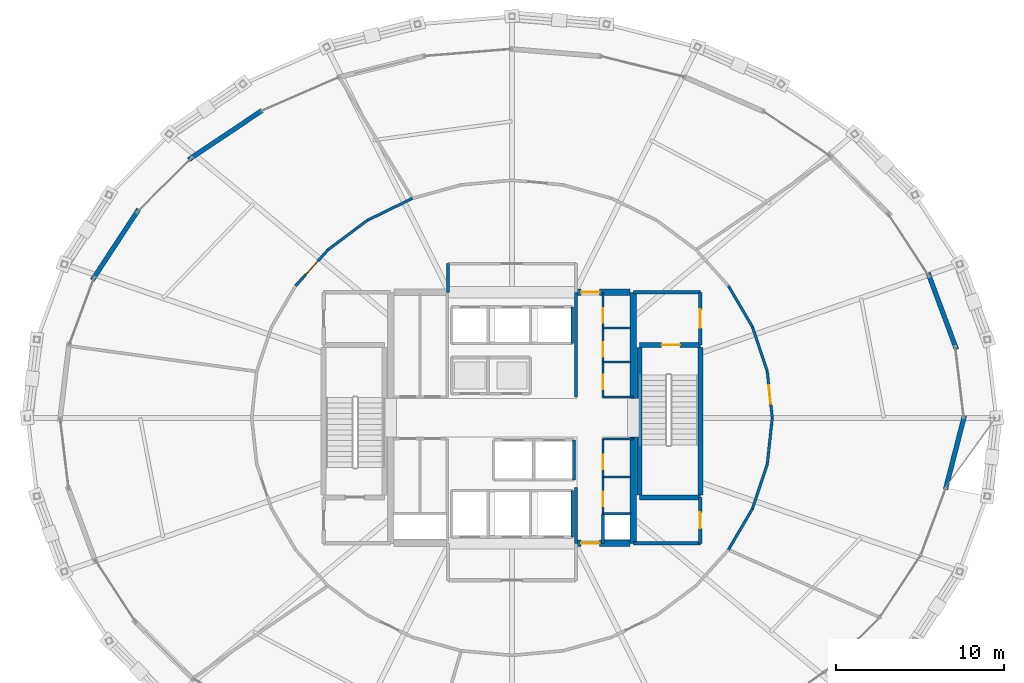
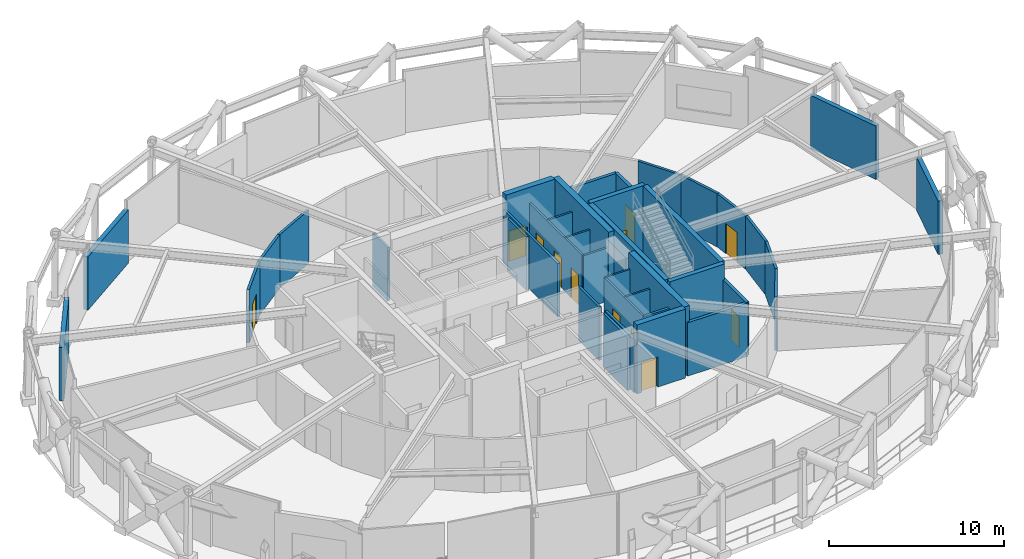
# One storey, part 34 of 39: 40 walls, 12 doors, 12 openings.
"""IFC4 building model written with IfcOpenShell, lengths in metres."""

from ifc_helpers import new_model, si_unit, direction, frame, frame_2d, origin, place, context, subcontext, project, spatial, rectangle, extrude, material, layer, layer_set, type_object, element, fill, save


model = new_model("IFC4")

# Units and contexts
model_context = context("Model", 3, precision=1e-05, world=origin(), true_north=direction((0.0, 1.0)))
body_context = subcontext(model_context, "Body", "Model", "MODEL_VIEW")
ifc_project = project(units=[si_unit("LENGTHUNIT", "METRE"), si_unit("AREAUNIT", "SQUARE_METRE"), si_unit("VOLUMEUNIT", "CUBIC_METRE"), si_unit("PLANEANGLEUNIT", "RADIAN"), si_unit("MASSUNIT", "GRAM", prefix="KILO")], contexts=[model_context])

# Site, building, storey
site_placement = place(None, origin())
site = spatial("IfcSite", under=ifc_project, at=site_placement, CompositionType="ELEMENT")
building_placement = place(site_placement, origin())
building = spatial("IfcBuilding", under=site, at=building_placement, Name="Veldorina Hangang Commons", CompositionType="ELEMENT")
storey_placement = place(building_placement, frame((0.0, 0.0, 106.0)))
storey = spatial("IfcBuildingStorey", under=building, at=storey_placement, Name="L27", CompositionType="ELEMENT", Elevation=106.0)

# Walls
ifc_material_1 = material(Name="Concrete C70/85", Category="concrete")
ifc_layer_1 = layer(ifc_material_1, 0.3798828125)
ifc_layer_set_1 = layer_set([ifc_layer_1], Name="Concrete C70/85")
wall_type_1 = type_object("IfcWallType", Name="CW-RC380-C70", PredefinedType="SHEAR", material=ifc_layer_set_1)
for number, where, z_axis, x_axis, name in (
    (1, (39.199951171875, 16.550048828125, 0.0), (0.0, 0.0, 1.0), (0.0, 1.0, 0.0), "L27 E south core shear wall"),
    (2, (39.199951171875, 25.14990234375, 0.0), (0.0, 0.0, 1.0), (0.0, 1.0, 0.0), "L27 E north core shear wall"),
):
    element("IfcWall", number, at=place(storey_placement, frame(where, z_axis=z_axis, x_axis=x_axis)), inside=storey, type_object=wall_type_1, Name=name, PredefinedType="SHEAR", context=body_context, shape_type="SweptSolid", body=[
        extrude(rectangle(XDim=6.300048828125, YDim=0.3798828125, at=frame_2d((3.14990234375, 0.0))), origin(), (0.0, 0.0, 1.0), 4.800048828125),
    ])

# Wall, opening, door
wall_1_placement = place(storey_placement, frame((35.800048828125, 16.550048828125, 0.0), z_axis=(0.0, 0.0, 1.0), x_axis=(1.0, 0.0, 0.0)))
wall_1 = element("IfcWall", 3, at=wall_1_placement, inside=storey, type_object=wall_type_1, Name="L27 south-east core shear wall", PredefinedType="SHEAR", context=body_context, shape_type="SweptSolid", body=[
    extrude(rectangle(XDim=3.2099609375, YDim=0.3798828125, at=frame_2d((1.60498046875, 0.0))), origin(), (0.0, 0.0, 1.0), 4.800048828125),
])
opening_1_placement = place(wall_1_placement, frame((0.300048828125, 0.0, 0.0)))
opening_1 = element("IfcOpeningElement", 4, at=opening_1_placement, cuts=wall_1, Name="Opening D-08", PredefinedType="OPENING", context=body_context, shape_type="SweptSolid", body=[
    extrude(rectangle(XDim=1.10009765625, YDim=2.10009765625, at=frame_2d((0.550048828125, 1.050048828125))), frame((0.0, 0.199951171875, 0.0), z_axis=(0.0, -1.0, 0.0), x_axis=(1.0, 0.0, 0.0)), (0.0, 0.0, 1.0), 0.39990234375),
])
ifc_material_2 = material(Name="Steel Fire-Rated Smoke Seal", Category="steel")
door_type_1 = type_object("IfcDoorType", Name="DR-FIRE-1100", OperationType="SINGLE_SWING_RIGHT", PredefinedType="DOOR", material=ifc_material_2)
door_1_placement = place(opening_1_placement, origin())
door_1 = element("IfcDoor", 5, at=door_1_placement, inside=storey, type_object=door_type_1, Name="L27 central lift lobby south corridor door", OperationType="SINGLE_SWING_RIGHT", OverallHeight=2.10009765625, OverallWidth=1.10009765625, PredefinedType="DOOR", context=body_context, shape_type="SweptSolid", body=[
    extrude(rectangle(XDim=1.10009765625, YDim=2.10009765625, at=frame_2d((0.550048828125, 1.050048828125))), frame((0.0, 0.02490234375, 0.0), z_axis=(0.0, -1.0, 0.0), x_axis=(1.0, 0.0, 0.0)), (0.0, 0.0, 1.0), 0.050048828125),
])
fill(opening_1, door_1)

wall_2_placement = place(storey_placement, frame((35.800048828125, 31.449951171875, 0.0), z_axis=(0.0, 0.0, 1.0), x_axis=(1.0, 0.0, 0.0)))
wall_2 = element("IfcWall", 6, at=wall_2_placement, inside=storey, type_object=wall_type_1, Name="L27 north-east core shear wall", PredefinedType="SHEAR", context=body_context, shape_type="SweptSolid", body=[
    extrude(rectangle(XDim=3.2099609375, YDim=0.3798828125, at=frame_2d((1.60498046875, 0.0))), origin(), (0.0, 0.0, 1.0), 4.800048828125),
])
opening_2_placement = place(wall_2_placement, frame((0.300048828125, 0.0, 0.0)))
opening_2 = element("IfcOpeningElement", 7, at=opening_2_placement, cuts=wall_2, Name="Opening D-08", PredefinedType="OPENING", context=body_context, shape_type="SweptSolid", body=[
    extrude(rectangle(XDim=1.10009765625, YDim=2.10009765625, at=frame_2d((0.550048828125, 1.050048828125))), frame((0.0, 0.199951171875, 0.0), z_axis=(0.0, -1.0, 0.0), x_axis=(1.0, 0.0, 0.0)), (0.0, 0.0, 1.0), 0.39990234375),
])
door_2_placement = place(opening_2_placement, origin())
door_2 = element("IfcDoor", 8, at=door_2_placement, inside=storey, type_object=door_type_1, Name="L27 central lift lobby north corridor door", OperationType="SINGLE_SWING_LEFT", OverallHeight=2.10009765625, OverallWidth=1.10009765625, PredefinedType="DOOR", context=body_context, shape_type="SweptSolid", body=[
    extrude(rectangle(XDim=1.10009765625, YDim=2.10009765625, at=frame_2d((0.550048828125, 1.050048828125))), frame((0.0, 0.02490234375, 0.0), z_axis=(0.0, -1.0, 0.0), x_axis=(1.0, 0.0, 0.0)), (0.0, 0.0, 1.0), 0.050048828125),
])
fill(opening_2, door_2)

# Walls
ifc_material_3 = material(Name="Stone Roman Travertine", Category="masonry")
ifc_layer_2 = layer(ifc_material_3, 0.280029296875)
ifc_layer_set_2 = layer_set([ifc_layer_2], Name="Stone Roman Travertine")
wall_type_2 = type_object("IfcWallType", Name="EW-TRAV-280", PredefinedType="STANDARD", material=ifc_layer_set_2)
wall_3_placement = place(storey_placement, frame((58.387451171875, 28.054931640625, 0.0), z_axis=(0.0, 0.0, 1.0), x_axis=(-0.348436652238, 0.937332331341, 0.0)))
element("IfcWall", 9, at=wall_3_placement, inside=storey, type_object=wall_type_2, Name="L27 travertine facade wall 01", PredefinedType="STANDARD", context=body_context, shape_type="SweptSolid", body=[
    extrude(rectangle(XDim=4.85205078125, YDim=0.280029296875, at=frame_2d((2.426025390625, 0.0))), origin(), (0.0, 0.0, 1.0), 3.7099609375),
])
wall_4_placement = place(storey_placement, frame((17.17431640625, 42.25048828125, 0.0), z_axis=(0.0, 0.0, 1.0), x_axis=(-0.830878855803, -0.556453346633, 0.0)))
element("IfcWall", 10, at=wall_4_placement, inside=storey, type_object=wall_type_2, Name="L27 travertine facade wall 11", PredefinedType="STANDARD", context=body_context, shape_type="SweptSolid", body=[
    extrude(rectangle(XDim=5.2666015625, YDim=0.280029296875, at=frame_2d((2.63330078125, 0.0))), origin(), (0.0, 0.0, 1.0), 3.7099609375),
])
wall_5_placement = place(storey_placement, frame((9.84033203125, 36.37841796875, 0.0), z_axis=(0.0, 0.0, 1.0), x_axis=(-0.54792313188, -0.836528685432, 0.0)))
element("IfcWall", 11, at=wall_5_placement, inside=storey, type_object=wall_type_2, Name="L27 travertine facade wall 13", PredefinedType="STANDARD", context=body_context, shape_type="SweptSolid", body=[
    extrude(rectangle(XDim=5.026611328125, YDim=0.280029296875, at=frame_2d((2.51318359375, 0.0))), origin(), (0.0, 0.0, 1.0), 3.7099609375),
])
wall_6_placement = place(storey_placement, frame((57.735595703125, 19.75, 0.0), z_axis=(0.0, 0.0, 1.0), x_axis=(0.247830898022, 0.968803306139, 0.0)))
element("IfcWall", 12, at=wall_6_placement, inside=storey, type_object=wall_type_2, Name="L27 travertine facade wall 31", PredefinedType="STANDARD", context=body_context, shape_type="SweptSolid", body=[
    extrude(rectangle(XDim=4.531494140625, YDim=0.280029296875, at=frame_2d((2.265625, 0.0))), origin(), (0.0, 0.0, 1.0), 3.7099609375),
])
ifc_material_4 = material(Name="Concrete C50/60", Category="concrete")
ifc_layer_3 = layer(ifc_material_4, 0.300048828125)
ifc_layer_set_3 = layer_set([ifc_layer_3], Name="Concrete C50/60")
wall_type_3 = type_object("IfcWallType", Name="SW-STAIR-300", PredefinedType="SHEAR", material=ifc_layer_set_3)
for number, where, z_axis, x_axis, name in (
    (13, (43.179931640625, 19.429931640625, 0.0), (0.0, 0.0, 1.0), (0.0, 1.0, 0.0), "L27 ST2 outer stair shear wall"),
    (14, (39.580078125, 19.429931640625, 0.0), (0.0, 0.0, 1.0), (0.0, 1.0, 0.0), "L27 ST2 inner stair shear wall"),
):
    element("IfcWall", number, at=place(storey_placement, frame(where, z_axis=z_axis, x_axis=x_axis)), inside=storey, type_object=wall_type_3, Name=name, PredefinedType="SHEAR", context=body_context, shape_type="SweptSolid", body=[
        extrude(rectangle(XDim=8.739990234375, YDim=0.300048828125, at=frame_2d((4.3701171875, 0.0))), origin(), (0.0, 0.0, 1.0), 4.800048828125),
    ])
wall_7_placement = place(storey_placement, frame((39.580078125, 19.280029296875, 0.0), z_axis=(0.0, 0.0, 1.0), x_axis=(1.0, 0.0, 0.0)))
element("IfcWall", 15, at=wall_7_placement, inside=storey, type_object=wall_type_3, Name="L27 ST2 south stair shear wall", PredefinedType="SHEAR", context=body_context, shape_type="SweptSolid", body=[
    extrude(rectangle(XDim=3.599853515625, YDim=0.300048828125, at=frame_2d((1.7998046875, 0.0))), origin(), (0.0, 0.0, 1.0), 4.800048828125),
])

# Wall, opening, door
wall_8_placement = place(storey_placement, frame((39.580078125, 28.320068359375, 0.0), z_axis=(0.0, 0.0, 1.0), x_axis=(1.0, 0.0, 0.0)))
wall_8 = element("IfcWall", 16, at=wall_8_placement, inside=storey, type_object=wall_type_3, Name="L27 ST2 north stair shear wall", PredefinedType="SHEAR", context=body_context, shape_type="SweptSolid", body=[
    extrude(rectangle(XDim=3.599853515625, YDim=0.300048828125, at=frame_2d((1.7998046875, 0.0))), origin(), (0.0, 0.0, 1.0), 4.800048828125),
])
opening_3_placement = place(wall_8_placement, frame((1.300048828125, 0.0, 0.0)))
opening_3 = element("IfcOpeningElement", 17, at=opening_3_placement, cuts=wall_8, Name="Opening D-08", PredefinedType="OPENING", context=body_context, shape_type="SweptSolid", body=[
    extrude(rectangle(XDim=1.10009765625, YDim=2.10009765625, at=frame_2d((0.550048828125, 1.050048828125))), frame((0.0, 0.16015625, 0.0), z_axis=(0.0, -1.0, 0.0), x_axis=(1.0, 0.0, 0.0)), (0.0, 0.0, 1.0), 0.320068359375),
])
door_3_placement = place(opening_3_placement, origin())
door_3 = element("IfcDoor", 18, at=door_3_placement, inside=storey, type_object=door_type_1, Name="L27 Special Escape Stair ST-2 door", OperationType="SINGLE_SWING_RIGHT", OverallHeight=2.10009765625, OverallWidth=1.10009765625, PredefinedType="DOOR", context=body_context, shape_type="SweptSolid", body=[
    extrude(rectangle(XDim=1.10009765625, YDim=2.10009765625, at=frame_2d((0.550048828125, 1.050048828125))), frame((0.0, 0.02490234375, 0.0), z_axis=(0.0, -1.0, 0.0), x_axis=(1.0, 0.0, 0.0)), (0.0, 0.0, 1.0), 0.050048828125),
])
fill(opening_3, door_3)

# Walls
ifc_material_5 = material(Name="Gypsum Fire-Rated Twin Stud Wall", Category="gypsum")
ifc_layer_4 = layer(ifc_material_5, 0.159912109375)
ifc_layer_set_4 = layer_set([ifc_layer_4], Name="Gypsum Fire-Rated Twin Stud Wall")
wall_type_4 = type_object("IfcWallType", Name="WL-FIRE-160", PredefinedType="SOLIDWALL", material=ifc_layer_set_4)
wall_9_placement = place(storey_placement, frame((35.800048828125, 16.550048828125, 0.0), z_axis=(0.0, 0.0, 1.0), x_axis=(0.0, 1.0, 0.0)))
element("IfcWall", 19, at=wall_9_placement, inside=storey, type_object=wall_type_4, Name="L27 Lift passage SW wall 009", PredefinedType="SOLIDWALL", context=body_context, shape_type="SweptSolid", body=[
    extrude(rectangle(XDim=3.300048828125, YDim=0.159912109375, at=frame_2d((1.64990234375, 0.0))), origin(), (0.0, 0.0, 1.0), 3.7099609375),
])
wall_10_placement = place(storey_placement, frame((37.39990234375, 16.550048828125, 0.0), z_axis=(0.0, 0.0, 1.0), x_axis=(0.0, 1.0, 0.0)))
element("IfcWall", 20, at=wall_10_placement, inside=storey, type_object=wall_type_4, Name="L27 Lift passage SE stub 010", PredefinedType="SOLIDWALL", context=body_context, shape_type="SweptSolid", body=[
    extrude(rectangle(XDim=1.75, YDim=0.159912109375, at=frame_2d((0.875, 0.0))), origin(), (0.0, 0.0, 1.0), 3.7099609375),
])
wall_11_placement = place(storey_placement, frame((35.800048828125, 25.25, 0.0), z_axis=(0.0, 0.0, 1.0), x_axis=(0.0, 1.0, 0.0)))
element("IfcWall", 21, at=wall_11_placement, inside=storey, type_object=wall_type_4, Name="L27 Lift passage NW wall 011", PredefinedType="SOLIDWALL", context=body_context, shape_type="SweptSolid", body=[
    extrude(rectangle(XDim=6.199951171875, YDim=0.159912109375, at=frame_2d((3.10009765625, 0.0))), origin(), (0.0, 0.0, 1.0), 3.7099609375),
])
wall_12_placement = place(storey_placement, frame((35.580078125, 28.419921875, 0.0), z_axis=(0.0, 0.0, 1.0), x_axis=(0.0, 1.0, 0.0)))
element("IfcWall", 22, at=wall_12_placement, inside=storey, type_object=wall_type_4, Name="L27 PL-L3 east shaft wall 020", PredefinedType="SOLIDWALL", context=body_context, shape_type="SweptSolid", body=[
    extrude(rectangle(XDim=2.16015625, YDim=0.159912109375, at=frame_2d((1.080078125, 0.0))), origin(), (0.0, 0.0, 1.0), 3.7099609375),
])
wall_13_placement = place(storey_placement, frame((35.679931640625, 20.320068359375, 0.0), z_axis=(0.0, 0.0, 1.0), x_axis=(0.0, 1.0, 0.0)))
element("IfcWall", 23, at=wall_13_placement, inside=storey, type_object=wall_type_4, Name="L27 SL-2 east shaft wall 030", PredefinedType="SOLIDWALL", context=body_context, shape_type="SweptSolid", body=[
    extrude(rectangle(XDim=2.35986328125, YDim=0.159912109375, at=frame_2d((1.179931640625, 0.0))), origin(), (0.0, 0.0, 1.0), 3.7099609375),
])
wall_14_placement = place(storey_placement, frame((35.580078125, 16.919921875, 0.0), z_axis=(0.0, 0.0, 1.0), x_axis=(0.0, 1.0, 0.0)))
element("IfcWall", 24, at=wall_14_placement, inside=storey, type_object=wall_type_4, Name="L27 EVL-1 east shaft wall 036", PredefinedType="SOLIDWALL", context=body_context, shape_type="SweptSolid", body=[
    extrude(rectangle(XDim=2.760009765625, YDim=0.159912109375, at=frame_2d((1.3798828125, 0.0))), origin(), (0.0, 0.0, 1.0), 3.7099609375),
])
wall_15_placement = place(storey_placement, frame((28.199951171875, 31.449951171875, 0.0), z_axis=(0.0, 0.0, 1.0), x_axis=(0.0, 1.0, 0.0)))
element("IfcWall", 25, at=wall_15_placement, inside=storey, type_object=wall_type_4, Name="L27 North lobby west wall 037", PredefinedType="SOLIDWALL", context=body_context, shape_type="SweptSolid", body=[
    extrude(rectangle(XDim=1.699951171875, YDim=0.159912109375, at=frame_2d((0.85009765625, 0.0))), origin(), (0.0, 0.0, 1.0), 3.7099609375),
])
wall_16_placement = place(storey_placement, frame((37.39990234375, 18.300048828125, 0.0), z_axis=(0.0, 0.0, 1.0), x_axis=(1.0, 0.0, 0.0)))
element("IfcWall", 26, at=wall_16_placement, inside=storey, type_object=wall_type_4, Name="L27 Plumbing riser wall 042", PredefinedType="SOLIDWALL", context=body_context, shape_type="SweptSolid", body=[
    extrude(rectangle(XDim=1.650146484375, YDim=0.159912109375, at=frame_2d((0.8251953125, 0.0))), origin(), (0.0, 0.0, 1.0), 3.7099609375),
])

# Wall, opening, door
wall_17_placement = place(storey_placement, frame((47.449951171875, 24.0, 0.0), z_axis=(0.0, 0.0, 1.0), x_axis=(-0.107302680622, 0.994226400138, 0.0)))
wall_17 = element("IfcWall", 27, at=wall_17_placement, inside=storey, type_object=wall_type_4, Name="L27 Sky gallery wall 00 055", PredefinedType="SOLIDWALL", context=body_context, shape_type="SweptSolid", body=[
    extrude(rectangle(XDim=2.7666015625, YDim=0.159912109375, at=frame_2d((1.38330078125, 0.0))), origin(), (0.0, 0.0, 1.0), 3.7099609375),
])
opening_4_placement = place(wall_17_placement, frame((0.83349609375, 0.0, 0.0)))
opening_4 = element("IfcOpeningElement", 28, at=opening_4_placement, cuts=wall_17, Name="Opening D-08", PredefinedType="OPENING", context=body_context, shape_type="SweptSolid", body=[
    extrude(rectangle(XDim=1.10009765625, YDim=2.10009765625, at=frame_2d((0.550048828125, 1.050048828125))), frame((0.0, 0.08984375, 0.0), z_axis=(0.0, -1.0, 0.0), x_axis=(1.0, 0.0, 0.0)), (0.0, 0.0, 1.0), 0.179931640625),
])
door_4_placement = place(opening_4_placement, origin())
door_4 = element("IfcDoor", 29, at=door_4_placement, inside=storey, type_object=door_type_1, Name="L27 Hangang Panorama Cafe and Dining entrance door 027", OperationType="SINGLE_SWING_LEFT", OverallHeight=2.10009765625, OverallWidth=1.10009765625, PredefinedType="DOOR", context=body_context, shape_type="SweptSolid", body=[
    extrude(rectangle(XDim=1.10009765625, YDim=2.10009765625, at=frame_2d((0.550048828125, 1.050048828125))), frame((0.0, 0.02490234375, 0.0), z_axis=(0.0, -1.0, 0.0), x_axis=(1.0, 0.0, 0.0)), (0.0, 0.0, 1.0), 0.050048828125),
])
fill(opening_4, door_4)

# Walls
wall_18_placement = place(storey_placement, frame((47.153076171875, 26.750732421875, 0.0), z_axis=(0.0, 0.0, 1.0), x_axis=(-0.315413058649, 0.948954478589, 0.0)))
element("IfcWall", 30, at=wall_18_placement, inside=storey, type_object=wall_type_4, Name="L27 Sky gallery wall 01 056", PredefinedType="SOLIDWALL", context=body_context, shape_type="SweptSolid", body=[
    extrude(rectangle(XDim=2.787353515625, YDim=0.159912109375, at=frame_2d((1.3935546875, 0.0))), origin(), (0.0, 0.0, 1.0), 3.7099609375),
])
wall_19_placement = place(storey_placement, frame((46.27392578125, 29.395751953125, 0.0), z_axis=(0.0, 0.0, 1.0), x_axis=(-0.505380130961, 0.862896820732, 0.0)))
element("IfcWall", 31, at=wall_19_placement, inside=storey, type_object=wall_type_4, Name="L27 Sky gallery wall 02 057", PredefinedType="SOLIDWALL", context=body_context, shape_type="SweptSolid", body=[
    extrude(rectangle(XDim=2.824951171875, YDim=0.159912109375, at=frame_2d((1.41259765625, 0.0))), origin(), (0.0, 0.0, 1.0), 3.7099609375),
])
wall_20_placement = place(storey_placement, frame((26.08740234375, 37.026611328125, 0.0), z_axis=(0.0, 0.0, 1.0), x_axis=(-0.898755022802, -0.438451147778, 0.0)))
element("IfcWall", 32, at=wall_20_placement, inside=storey, type_object=wall_type_4, Name="L27 Sky gallery wall 10 065", PredefinedType="SOLIDWALL", context=body_context, shape_type="SweptSolid", body=[
    extrude(rectangle(XDim=2.9716796875, YDim=0.159912109375, at=frame_2d((1.48583984375, 0.0))), origin(), (0.0, 0.0, 1.0), 3.7099609375),
])
wall_21_placement = place(storey_placement, frame((23.41650390625, 35.7236328125, 0.0), z_axis=(0.0, 0.0, 1.0), x_axis=(-0.800420462314, -0.599438973966, 0.0)))
element("IfcWall", 33, at=wall_21_placement, inside=storey, type_object=wall_type_4, Name="L27 Sky gallery wall 11 066", PredefinedType="SOLIDWALL", context=body_context, shape_type="SweptSolid", body=[
    extrude(rectangle(XDim=2.925048828125, YDim=0.159912109375, at=frame_2d((1.46240234375, 0.0))), origin(), (0.0, 0.0, 1.0), 3.7099609375),
])

# Wall, opening, door
wall_22_placement = place(storey_placement, frame((21.0751953125, 33.97021484375, 0.0), z_axis=(0.0, 0.0, 1.0), x_axis=(-0.668645478294, -0.743581350194, 0.0)))
wall_22 = element("IfcWall", 34, at=wall_22_placement, inside=storey, type_object=wall_type_4, Name="L27 Sky gallery wall 12 067", PredefinedType="SOLIDWALL", context=body_context, shape_type="SweptSolid", body=[
    extrude(rectangle(XDim=2.87353515625, YDim=0.159912109375, at=frame_2d((1.436767578125, 0.0))), origin(), (0.0, 0.0, 1.0), 3.7099609375),
])
opening_5_placement = place(wall_22_placement, frame((0.88671875, 0.0, 0.0)))
opening_5 = element("IfcOpeningElement", 35, at=opening_5_placement, cuts=wall_22, Name="Opening D-08", PredefinedType="OPENING", context=body_context, shape_type="SweptSolid", body=[
    extrude(rectangle(XDim=1.10009765625, YDim=2.10009765625, at=frame_2d((0.550048828125, 1.050048828125))), frame((0.0, 0.08984375, 0.0), z_axis=(0.0, -1.0, 0.0), x_axis=(1.0, 0.0, 0.0)), (0.0, 0.0, 1.0), 0.179931640625),
])
door_5_placement = place(opening_5_placement, origin())
door_5 = element("IfcDoor", 36, at=door_5_placement, inside=storey, type_object=door_type_1, Name="L27 Collaborative Seminar Hall entrance door 029", OperationType="SINGLE_SWING_LEFT", OverallHeight=2.10009765625, OverallWidth=1.10009765625, PredefinedType="DOOR", context=body_context, shape_type="SweptSolid", body=[
    extrude(rectangle(XDim=1.10009765625, YDim=2.10009765625, at=frame_2d((0.550048828125, 1.050048828125))), frame((0.0, 0.02490234375, 0.0), z_axis=(0.0, -1.0, 0.0), x_axis=(1.0, 0.0, 0.0)), (0.0, 0.0, 1.0), 0.050048828125),
])
fill(opening_5, door_5)

# Walls
wall_23_placement = place(storey_placement, frame((44.84619140625, 16.16650390625, 0.0), z_axis=(0.0, 0.0, 1.0), x_axis=(0.505380130961, 0.862896820732, 0.0)))
element("IfcWall", 37, at=wall_23_placement, inside=storey, type_object=wall_type_4, Name="L27 Sky gallery wall 29 084", PredefinedType="SOLIDWALL", context=body_context, shape_type="SweptSolid", body=[
    extrude(rectangle(XDim=2.824951171875, YDim=0.159912109375, at=frame_2d((1.41259765625, 0.0))), origin(), (0.0, 0.0, 1.0), 3.7099609375),
])
wall_24_placement = place(storey_placement, frame((46.27392578125, 18.604248046875, 0.0), z_axis=(0.0, 0.0, 1.0), x_axis=(0.315413058649, 0.948954478589, 0.0)))
element("IfcWall", 38, at=wall_24_placement, inside=storey, type_object=wall_type_4, Name="L27 Sky gallery wall 30 085", PredefinedType="SOLIDWALL", context=body_context, shape_type="SweptSolid", body=[
    extrude(rectangle(XDim=2.787353515625, YDim=0.159912109375, at=frame_2d((1.3935546875, 0.0))), origin(), (0.0, 0.0, 1.0), 3.7099609375),
])
wall_25_placement = place(storey_placement, frame((47.153076171875, 21.249267578125, 0.0), z_axis=(0.0, 0.0, 1.0), x_axis=(0.107302680622, 0.994226400138, 0.0)))
element("IfcWall", 39, at=wall_25_placement, inside=storey, type_object=wall_type_4, Name="L27 Sky gallery wall 31 086", PredefinedType="SOLIDWALL", context=body_context, shape_type="SweptSolid", body=[
    extrude(rectangle(XDim=2.7666015625, YDim=0.159912109375, at=frame_2d((1.38330078125, 0.0))), origin(), (0.0, 0.0, 1.0), 3.7099609375),
])

# Wall, opening, door
ifc_material_6 = material(Name="Concrete Blockwork Fire Wall C30/37", Category="masonry")
ifc_layer_5 = layer(ifc_material_6, 0.199951171875)
ifc_layer_set_5 = layer_set([ifc_layer_5], Name="Concrete Blockwork Fire Wall C30/37")
wall_type_5 = type_object("IfcWallType", Name="WL-FIRE-200", PredefinedType="SOLIDWALL", material=ifc_layer_set_5)
wall_26_placement = place(storey_placement, frame((43.179931640625, 28.320068359375, 0.0), z_axis=(0.0, 0.0, 1.0), x_axis=(0.0, 1.0, 0.0)))
wall_26 = element("IfcWall", 40, at=wall_26_placement, inside=storey, type_object=wall_type_5, Name="L27 East vestibule outer wall 003", PredefinedType="SOLIDWALL", context=body_context, shape_type="SweptSolid", body=[
    extrude(rectangle(XDim=3.1298828125, YDim=0.199951171875, at=frame_2d((1.56494140625, 0.0))), origin(), (0.0, 0.0, 1.0), 3.7099609375),
])
opening_6_placement = place(wall_26_placement, frame((1.014892578125, 0.0, 0.0)))
opening_6 = element("IfcOpeningElement", 41, at=opening_6_placement, cuts=wall_26, Name="Opening D-08", PredefinedType="OPENING", context=body_context, shape_type="SweptSolid", body=[
    extrude(rectangle(XDim=1.10009765625, YDim=2.10009765625, at=frame_2d((0.550048828125, 1.050048828125))), frame((0.0, 0.10986328125, 0.0), z_axis=(0.0, -1.0, 0.0), x_axis=(1.0, 0.0, 0.0)), (0.0, 0.0, 1.0), 0.219970703125),
])
door_6_placement = place(opening_6_placement, origin())
door_6 = element("IfcDoor", 42, at=door_6_placement, inside=storey, type_object=door_type_1, Name="L27 East vestibule east door 002", OperationType="SINGLE_SWING_RIGHT", OverallHeight=2.10009765625, OverallWidth=1.10009765625, PredefinedType="DOOR", context=body_context, shape_type="SweptSolid", body=[
    extrude(rectangle(XDim=1.10009765625, YDim=2.10009765625, at=frame_2d((0.550048828125, 1.050048828125))), frame((0.0, 0.02490234375, 0.0), z_axis=(0.0, -1.0, 0.0), x_axis=(1.0, 0.0, 0.0)), (0.0, 0.0, 1.0), 0.050048828125),
])
fill(opening_6, door_6)

# Wall
wall_27_placement = place(storey_placement, frame((39.199951171875, 31.449951171875, 0.0), z_axis=(0.0, 0.0, 1.0), x_axis=(1.0, 0.0, 0.0)))
element("IfcWall", 43, at=wall_27_placement, inside=storey, type_object=wall_type_5, Name="L27 East vestibule north wall 004", PredefinedType="SOLIDWALL", context=body_context, shape_type="SweptSolid", body=[
    extrude(rectangle(XDim=3.97998046875, YDim=0.199951171875, at=frame_2d((1.989990234375, 0.0))), origin(), (0.0, 0.0, 1.0), 3.7099609375),
])

# Wall, opening, door
wall_28_placement = place(storey_placement, frame((43.179931640625, 16.550048828125, 0.0), z_axis=(0.0, 0.0, 1.0), x_axis=(0.0, 1.0, 0.0)))
wall_28 = element("IfcWall", 44, at=wall_28_placement, inside=storey, type_object=wall_type_5, Name="L27 SE core room outer wall 007", PredefinedType="SOLIDWALL", context=body_context, shape_type="SweptSolid", body=[
    extrude(rectangle(XDim=2.72998046875, YDim=0.199951171875, at=frame_2d((1.364990234375, 0.0))), origin(), (0.0, 0.0, 1.0), 3.7099609375),
])
opening_7_placement = place(wall_28_placement, frame((0.889892578125, 0.0, 0.0)))
opening_7 = element("IfcOpeningElement", 45, at=opening_7_placement, cuts=wall_28, Name="Opening D-02", PredefinedType="OPENING", context=body_context, shape_type="SweptSolid", body=[
    extrude(rectangle(XDim=0.949951171875, YDim=2.10009765625, at=frame_2d((0.47509765625, 1.050048828125))), frame((0.0, 0.10986328125, 0.0), z_axis=(0.0, -1.0, 0.0), x_axis=(1.0, 0.0, 0.0)), (0.0, 0.0, 1.0), 0.219970703125),
])
ifc_material_7 = material(Name="Timber Solid Core Acoustic", Category="wood")
door_type_2 = type_object("IfcDoorType", Name="DR-INT-950", OperationType="SINGLE_SWING_LEFT", PredefinedType="DOOR", material=ifc_material_7)
door_7_placement = place(opening_7_placement, origin())
door_7 = element("IfcDoor", 46, at=door_7_placement, inside=storey, type_object=door_type_2, Name="L27 SE core WC door 004", OperationType="SINGLE_SWING_RIGHT", OverallHeight=2.10009765625, OverallWidth=0.949951171875, PredefinedType="DOOR", context=body_context, shape_type="SweptSolid", body=[
    extrude(rectangle(XDim=0.949951171875, YDim=2.10009765625, at=frame_2d((0.47509765625, 1.050048828125))), frame((0.0, 0.02490234375, 0.0), z_axis=(0.0, -1.0, 0.0), x_axis=(1.0, 0.0, 0.0)), (0.0, 0.0, 1.0), 0.050048828125),
])
fill(opening_7, door_7)

# Wall
wall_29_placement = place(storey_placement, frame((39.199951171875, 16.550048828125, 0.0), z_axis=(0.0, 0.0, 1.0), x_axis=(1.0, 0.0, 0.0)))
element("IfcWall", 47, at=wall_29_placement, inside=storey, type_object=wall_type_5, Name="L27 SE core room south wall 008", PredefinedType="SOLIDWALL", context=body_context, shape_type="SweptSolid", body=[
    extrude(rectangle(XDim=3.97998046875, YDim=0.199951171875, at=frame_2d((1.989990234375, 0.0))), origin(), (0.0, 0.0, 1.0), 3.7099609375),
])

# Wall, openings, doors
ifc_material_8 = material(Name="Gypsum Acoustic Stud Partition", Category="gypsum")
ifc_layer_6 = layer(ifc_material_8, 0.1201171875)
ifc_layer_set_6 = layer_set([ifc_layer_6], Name="Gypsum Acoustic Stud Partition")
wall_type_6 = type_object("IfcWallType", Name="WL-PART-120", PredefinedType="PARTITIONING", material=ifc_layer_set_6)
wall_30_placement = place(storey_placement, frame((37.39990234375, 25.25, 0.0), z_axis=(0.0, 0.0, 1.0), x_axis=(0.0, 1.0, 0.0)))
wall_30 = element("IfcWall", 48, at=wall_30_placement, inside=storey, type_object=wall_type_6, Name="L27 NE strip lobby wall 046", PredefinedType="PARTITIONING", context=body_context, shape_type="SweptSolid", body=[
    extrude(rectangle(XDim=6.199951171875, YDim=0.1201171875, at=frame_2d((3.10009765625, 0.0))), origin(), (0.0, 0.0, 1.0), 3.7099609375),
])
opening_8_placement = place(wall_30_placement, frame((0.43994140625, 0.0, 0.0)))
opening_8 = element("IfcOpeningElement", 49, at=opening_8_placement, cuts=wall_30, Name="Opening D-01", PredefinedType="OPENING", context=body_context, shape_type="SweptSolid", body=[
    extrude(rectangle(XDim=0.860107421875, YDim=2.10009765625, at=frame_2d((0.43017578125, 1.050048828125))), frame((0.0, 0.070068359375, 0.0), z_axis=(0.0, -1.0, 0.0), x_axis=(1.0, 0.0, 0.0)), (0.0, 0.0, 1.0), 0.14013671875),
])
opening_9_placement = place(wall_30_placement, frame((2.3701171875, 0.0, 0.0)))
opening_9 = element("IfcOpeningElement", 50, at=opening_9_placement, cuts=wall_30, Name="Opening D-01", PredefinedType="OPENING", context=body_context, shape_type="SweptSolid", body=[
    extrude(rectangle(XDim=0.860107421875, YDim=2.10009765625, at=frame_2d((0.43017578125, 1.050048828125))), frame((0.0, 0.070068359375, 0.0), z_axis=(0.0, -1.0, 0.0), x_axis=(1.0, 0.0, 0.0)), (0.0, 0.0, 1.0), 0.14013671875),
])
opening_10_placement = place(wall_30_placement, frame((4.389892578125, 0.0, 0.0)))
opening_10 = element("IfcOpeningElement", 51, at=opening_10_placement, cuts=wall_30, Name="Opening D-01", PredefinedType="OPENING", context=body_context, shape_type="SweptSolid", body=[
    extrude(rectangle(XDim=0.860107421875, YDim=2.10009765625, at=frame_2d((0.43017578125, 1.050048828125))), frame((0.0, 0.070068359375, 0.0), z_axis=(0.0, -1.0, 0.0), x_axis=(1.0, 0.0, 0.0)), (0.0, 0.0, 1.0), 0.14013671875),
])
ifc_material_9 = material(Name="Timber Moisture-Resistant Core", Category="wood")
door_type_3 = type_object("IfcDoorType", Name="DR-WET-860", OperationType="SINGLE_SWING_LEFT", PredefinedType="DOOR", material=ifc_material_9)
door_8_placement = place(opening_8_placement, origin())
door_8 = element("IfcDoor", 52, at=door_8_placement, inside=storey, type_object=door_type_3, Name="L27 Fiber Riser Closet door 021", OperationType="SINGLE_SWING_LEFT", OverallHeight=2.10009765625, OverallWidth=0.860107421875, PredefinedType="DOOR", context=body_context, shape_type="SweptSolid", body=[
    extrude(rectangle(XDim=0.860107421875, YDim=2.10009765625, at=frame_2d((0.43017578125, 1.050048828125))), frame((0.0, 0.02490234375, 0.0), z_axis=(0.0, -1.0, 0.0), x_axis=(1.0, 0.0, 0.0)), (0.0, 0.0, 1.0), 0.050048828125),
])
fill(opening_8, door_8)
door_9_placement = place(opening_9_placement, origin())
door_9 = element("IfcDoor", 53, at=door_9_placement, inside=storey, type_object=door_type_3, Name="L27 AV Rack Closet door 022", OperationType="SINGLE_SWING_RIGHT", OverallHeight=2.10009765625, OverallWidth=0.860107421875, PredefinedType="DOOR", context=body_context, shape_type="SweptSolid", body=[
    extrude(rectangle(XDim=0.860107421875, YDim=2.10009765625, at=frame_2d((0.43017578125, 1.050048828125))), frame((0.0, 0.02490234375, 0.0), z_axis=(0.0, -1.0, 0.0), x_axis=(1.0, 0.0, 0.0)), (0.0, 0.0, 1.0), 0.050048828125),
])
fill(opening_9, door_9)
door_10_placement = place(opening_10_placement, origin())
door_10 = element("IfcDoor", 54, at=door_10_placement, inside=storey, type_object=door_type_3, Name="L27 Supply Closet door 023", OperationType="SINGLE_SWING_LEFT", OverallHeight=2.10009765625, OverallWidth=0.860107421875, PredefinedType="DOOR", context=body_context, shape_type="SweptSolid", body=[
    extrude(rectangle(XDim=0.860107421875, YDim=2.10009765625, at=frame_2d((0.43017578125, 1.050048828125))), frame((0.0, 0.02490234375, 0.0), z_axis=(0.0, -1.0, 0.0), x_axis=(1.0, 0.0, 0.0)), (0.0, 0.0, 1.0), 0.050048828125),
])
fill(opening_10, door_10)

# Wall
wall_31_placement = place(storey_placement, frame((37.39990234375, 25.25, 0.0), z_axis=(0.0, 0.0, 1.0), x_axis=(1.0, 0.0, 0.0)))
element("IfcWall", 55, at=wall_31_placement, inside=storey, type_object=wall_type_6, Name="L27 NE strip south return wall 047", PredefinedType="PARTITIONING", context=body_context, shape_type="SweptSolid", body=[
    extrude(rectangle(XDim=1.800048828125, YDim=0.1201171875, at=frame_2d((0.89990234375, 0.0))), origin(), (0.0, 0.0, 1.0), 3.7099609375),
])

# Wall, openings, doors
wall_32_placement = place(storey_placement, frame((37.39990234375, 18.300048828125, 0.0), z_axis=(0.0, 0.0, 1.0), x_axis=(0.0, 1.0, 0.0)))
wall_32 = element("IfcWall", 56, at=wall_32_placement, inside=storey, type_object=wall_type_6, Name="L27 SE strip lobby wall 048", PredefinedType="PARTITIONING", context=body_context, shape_type="SweptSolid", body=[
    extrude(rectangle(XDim=4.449951171875, YDim=0.1201171875, at=frame_2d((2.22509765625, 0.0))), origin(), (0.0, 0.0, 1.0), 3.7099609375),
])
opening_11_placement = place(wall_32_placement, frame((0.449951171875, 0.0, 0.0)))
opening_11 = element("IfcOpeningElement", 57, at=opening_11_placement, cuts=wall_32, Name="Opening D-01", PredefinedType="OPENING", context=body_context, shape_type="SweptSolid", body=[
    extrude(rectangle(XDim=0.860107421875, YDim=2.10009765625, at=frame_2d((0.43017578125, 1.050048828125))), frame((0.0, 0.070068359375, 0.0), z_axis=(0.0, -1.0, 0.0), x_axis=(1.0, 0.0, 0.0)), (0.0, 0.0, 1.0), 0.14013671875),
])
opening_12_placement = place(wall_32_placement, frame((2.64990234375, 0.0, 0.0)))
opening_12 = element("IfcOpeningElement", 58, at=opening_12_placement, cuts=wall_32, Name="Opening D-01", PredefinedType="OPENING", context=body_context, shape_type="SweptSolid", body=[
    extrude(rectangle(XDim=0.860107421875, YDim=2.10009765625, at=frame_2d((0.43017578125, 1.050048828125))), frame((0.0, 0.070068359375, 0.0), z_axis=(0.0, -1.0, 0.0), x_axis=(1.0, 0.0, 0.0)), (0.0, 0.0, 1.0), 0.14013671875),
])
door_11_placement = place(opening_11_placement, origin())
door_11 = element("IfcDoor", 59, at=door_11_placement, inside=storey, type_object=door_type_3, Name="L27 Janitor sink door 024", OperationType="SINGLE_SWING_RIGHT", OverallHeight=2.10009765625, OverallWidth=0.860107421875, PredefinedType="DOOR", context=body_context, shape_type="SweptSolid", body=[
    extrude(rectangle(XDim=0.860107421875, YDim=2.10009765625, at=frame_2d((0.43017578125, 1.050048828125))), frame((0.0, 0.02490234375, 0.0), z_axis=(0.0, -1.0, 0.0), x_axis=(1.0, 0.0, 0.0)), (0.0, 0.0, 1.0), 0.050048828125),
])
fill(opening_11, door_11)
door_12_placement = place(opening_12_placement, origin())
door_12 = element("IfcDoor", 60, at=door_12_placement, inside=storey, type_object=door_type_3, Name="L27 Fire panel door 025", OperationType="SINGLE_SWING_LEFT", OverallHeight=2.10009765625, OverallWidth=0.860107421875, PredefinedType="DOOR", context=body_context, shape_type="SweptSolid", body=[
    extrude(rectangle(XDim=0.860107421875, YDim=2.10009765625, at=frame_2d((0.43017578125, 1.050048828125))), frame((0.0, 0.02490234375, 0.0), z_axis=(0.0, -1.0, 0.0), x_axis=(1.0, 0.0, 0.0)), (0.0, 0.0, 1.0), 0.050048828125),
])
fill(opening_12, door_12)

# Walls
wall_33_placement = place(storey_placement, frame((37.39990234375, 22.75, 0.0), z_axis=(0.0, 0.0, 1.0), x_axis=(1.0, 0.0, 0.0)))
element("IfcWall", 61, at=wall_33_placement, inside=storey, type_object=wall_type_6, Name="L27 SE strip north return wall 049", PredefinedType="PARTITIONING", context=body_context, shape_type="SweptSolid", body=[
    extrude(rectangle(XDim=1.800048828125, YDim=0.1201171875, at=frame_2d((0.89990234375, 0.0))), origin(), (0.0, 0.0, 1.0), 3.7099609375),
])
for number, where, z_axis, x_axis, name in (
    (62, (37.39990234375, 27.300048828125, 0.0), (0.0, 0.0, 1.0), (1.0, 0.0, 0.0), "L27 NE split 1 052"),
    (63, (37.39990234375, 29.330078125, 0.0), (0.0, 0.0, 1.0), (1.0, 0.0, 0.0), "L27 NE split 2 053"),
    (64, (37.39990234375, 20.5, 0.0), (0.0, 0.0, 1.0), (1.0, 0.0, 0.0), "L27 SE horizontal split 054"),
):
    element("IfcWall", number, at=place(storey_placement, frame(where, z_axis=z_axis, x_axis=x_axis)), inside=storey, type_object=wall_type_6, Name=name, PredefinedType="PARTITIONING", context=body_context, shape_type="SweptSolid", body=[
        extrude(rectangle(XDim=1.650146484375, YDim=0.1201171875, at=frame_2d((0.8251953125, 0.0))), origin(), (0.0, 0.0, 1.0), 3.7099609375),
    ])

save(model, "model.ifc")
